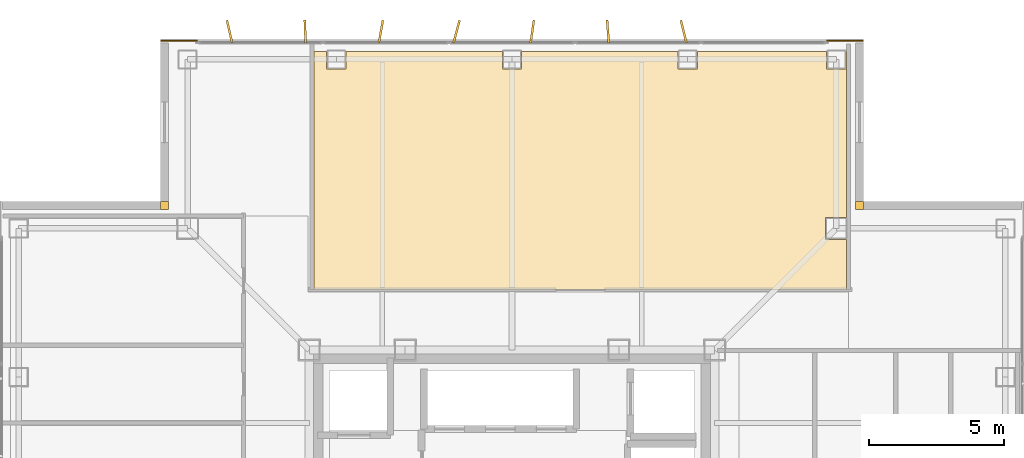
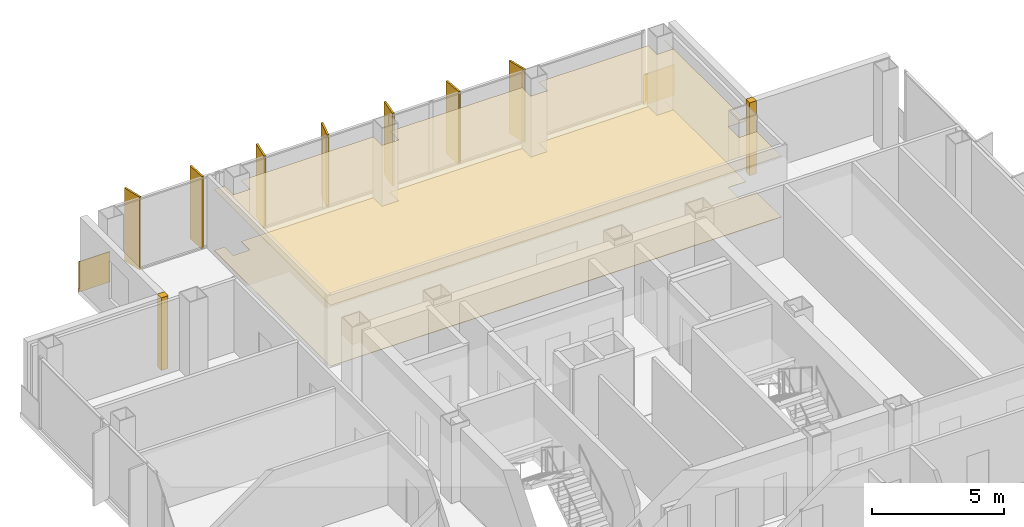
# One storey, part 15 of 15: 7 shading devices, 6 coverings.
"""IFC4 building model written with IfcOpenShell, lengths in metres."""

from ifc_helpers import new_model, si_unit, direction, frame, frame_2d, origin, origin_2d, place, context, subcontext, project, spatial, polyline, rectangle, outline, extrude, material, layer, layer_set, type_object, element, save


model = new_model("IFC4")

# Units and contexts
model_context = context("Model", 3, precision=1e-05, world=origin(), true_north=direction((0.0, 1.0)))
body_context = subcontext(model_context, "Body", "Model", "MODEL_VIEW")
ifc_project = project(units=[si_unit("LENGTHUNIT", "METRE"), si_unit("AREAUNIT", "SQUARE_METRE"), si_unit("VOLUMEUNIT", "CUBIC_METRE"), si_unit("PLANEANGLEUNIT", "RADIAN"), si_unit("MASSUNIT", "GRAM", prefix="KILO")], contexts=[model_context])

# Site, building, storey
site_placement = place(None, origin())
site = spatial("IfcSite", under=ifc_project, at=site_placement, CompositionType="ELEMENT")
building_placement = place(site_placement, origin())
building = spatial("IfcBuilding", under=site, at=building_placement, Name="Trevonay Congress Spire", CompositionType="ELEMENT")
storey_placement = place(building_placement, frame((0.0, 0.0, 293.60009765625)))
storey = spatial("IfcBuildingStorey", under=building, at=storey_placement, Name="L77", CompositionType="ELEMENT", Elevation=293.60009765625)

# Coverings
ifc_material_1 = material(Name="Acoustic Mineral Fibre Board", Category="gypsum")
ifc_layer_1 = layer(ifc_material_1, 0.02490234375, Name="Acoustic Mineral Fibre Board")
ifc_layer_set_1 = layer_set([ifc_layer_1], Name="Acoustic Mineral Fibre Board")
covering_type_1 = type_object("IfcCoveringType", Name="COV-CEIL-ACOUSTIC", PredefinedType="CEILING", material=ifc_layer_set_1)
covering_1_placement = place(storey_placement, frame((0.0, 0.0, 2.809814453125)))
element("IfcCovering", 1, at=covering_1_placement, inside=storey, type_object=covering_type_1, Name="L77 Harbour View Grand Banquet Dining Room acoustic suspended ceiling", PredefinedType="CEILING", context=body_context, shape_type="SweptSolid", body=[
    extrude(outline(polyline([(12.3701171875, 9.72998046875), (-7.320068359375, 9.72998046875), (-7.320068359375, 18.550048828125), (-6.860107421875, 18.550048828125), (-6.860107421875, 17.889892578125), (-6.139892578125, 17.889892578125), (-6.139892578125, 18.550048828125), (-0.360107421875, 18.550048828125), (-0.360107421875, 17.889892578125), (0.360107421875, 17.889892578125), (0.360107421875, 18.550048828125), (6.139892578125, 18.550048828125), (6.139892578125, 17.889892578125), (6.860107421875, 17.889892578125), (6.860107421875, 18.550048828125), (11.639892578125, 18.550048828125), (11.639892578125, 17.889892578125), (12.360107421875, 17.889892578125), (12.360107421875, 18.550048828125), (12.3701171875, 18.550048828125), (12.3701171875, 12.409912109375), (11.590087890625, 12.409912109375), (11.590087890625, 11.590087890625), (12.3701171875, 11.590087890625), (12.3701171875, 9.72998046875)])), origin(), (0.0, 0.0, 1.0), 0.025146484375),
])
ifc_material_2 = material(Name="Polished Granite Floor Tile", Category="masonry")
ifc_layer_2 = layer(ifc_material_2, 0.02001953125, Name="Polished Granite Floor Tile")
ifc_layer_set_2 = layer_set([ifc_layer_2], Name="Polished Granite Floor Tile")
covering_type_2 = type_object("IfcCoveringType", Name="COV-FLOOR-STONE", PredefinedType="FLOORING", material=ifc_layer_set_2)
covering_2_placement = place(storey_placement, origin())
element("IfcCovering", 2, at=covering_2_placement, inside=storey, type_object=covering_type_2, Name="L77 Harbour View Grand Banquet Dining Room floor finish", PredefinedType="FLOORING", context=body_context, shape_type="SweptSolid", body=[
    extrude(outline(polyline([(12.3701171875, 9.72998046875), (-7.320068359375, 9.72998046875), (-7.320068359375, 18.550048828125), (-6.860107421875, 18.550048828125), (-6.860107421875, 17.889892578125), (-6.139892578125, 17.889892578125), (-6.139892578125, 18.550048828125), (-0.360107421875, 18.550048828125), (-0.360107421875, 17.889892578125), (0.360107421875, 17.889892578125), (0.360107421875, 18.550048828125), (6.139892578125, 18.550048828125), (6.139892578125, 17.889892578125), (6.860107421875, 17.889892578125), (6.860107421875, 18.550048828125), (11.639892578125, 18.550048828125), (11.639892578125, 17.889892578125), (12.360107421875, 17.889892578125), (12.360107421875, 18.550048828125), (12.3701171875, 18.550048828125), (12.3701171875, 12.409912109375), (11.590087890625, 12.409912109375), (11.590087890625, 11.590087890625), (12.3701171875, 11.590087890625), (12.3701171875, 9.72998046875)])), origin(), (0.0, 0.0, 1.0), 0.02001953125),
])
ifc_material_3 = material(Name="Pale Anodised Aluminium EN AW-6063-T6", Category="aluminium")
ifc_layer_3 = layer(ifc_material_3, 0.0400390625, Name="Pale Anodised Aluminium EN AW-6063-T6")
ifc_layer_set_3 = layer_set([ifc_layer_3], Name="Pale Anodised Aluminium EN AW-6063-T6")
covering_type_3 = type_object("IfcCoveringType", Name="COV-SPANDREL-PALE-METAL", PredefinedType="CLADDING", material=ifc_layer_set_3)
covering_3_placement = place(storey_placement, origin())
element("IfcCovering", 3, at=covering_3_placement, inside=storey, type_object=covering_type_3, Name="L77 NE re-entrant notch corner closure trim", PredefinedType="CLADDING", context=body_context, shape_type="SweptSolid", body=[
    extrude(outline(polyline([(12.699951171875, 12.699951171875), (13.0, 12.699951171875), (13.0, 13.0), (12.699951171875, 13.0), (12.699951171875, 12.699951171875)])), origin(), (0.0, 0.0, 1.0), 3.35986328125),
])
covering_4_placement = place(storey_placement, frame((11.64990234375, 18.93994140625, -0.150146484375), z_axis=(0.0, 0.0, 1.0), x_axis=(1.0, 0.0, 0.0)))
element("IfcCovering", 4, at=covering_4_placement, inside=storey, type_object=covering_type_3, Name="L77 NE corner pier spandrel cladding 2", PredefinedType="CLADDING", context=body_context, shape_type="SweptSolid", body=[
    extrude(rectangle(XDim=1.35009765625, YDim=0.0400390625, at=frame_2d((0.675048828125, 0.0))), origin(), (0.0, 0.0, 1.0), 1.400146484375),
])
covering_5_placement = place(storey_placement, origin())
element("IfcCovering", 5, at=covering_5_placement, inside=storey, type_object=covering_type_3, Name="L77 NW re-entrant notch corner closure trim", PredefinedType="CLADDING", context=body_context, shape_type="SweptSolid", body=[
    extrude(outline(polyline([(-13.0, 12.699951171875), (-12.699951171875, 12.699951171875), (-12.699951171875, 13.0), (-13.0, 13.0), (-13.0, 12.699951171875)])), origin(), (0.0, 0.0, 1.0), 3.35986328125),
])
covering_6_placement = place(storey_placement, frame((-11.64990234375, 18.93994140625, -0.150146484375), z_axis=(0.0, 0.0, 1.0), x_axis=(-1.0, 0.0, 0.0)))
element("IfcCovering", 6, at=covering_6_placement, inside=storey, type_object=covering_type_3, Name="L77 NW corner pier spandrel cladding 2", PredefinedType="CLADDING", context=body_context, shape_type="SweptSolid", body=[
    extrude(rectangle(XDim=1.35009765625, YDim=0.0400390625, at=frame_2d((0.675048828125, 0.0))), origin(), (0.0, 0.0, 1.0), 1.400146484375),
])

# Shading devices
shading_device_type = type_object("IfcShadingDeviceType", Name="SHD-FIN-Z4-PALE-METAL", PredefinedType="USERDEFINED", material=ifc_material_3)
for number, where, z_axis, x_axis, name in (
    (7, (-10.449951171875, 19.280029296875, 0.0), (0.0, 0.0, 1.0), (0.97440931131, 0.224780991261, 0.0), "L77 N vertical pale-metal solar fin 1"),
    (8, (-7.64990234375, 19.280029296875, 0.0), (0.0, 0.0, 1.0), (0.999235873152, 0.039085416795, 0.0), "L77 N vertical pale-metal solar fin 2"),
    (9, (-4.85009765625, 19.280029296875, 0.0), (0.0, 0.0, 1.0), (0.984195607969, -0.17708474032, 0.0), "L77 N vertical pale-metal solar fin 3"),
    (10, (-2.050048828125, 19.280029296875, 0.0), (0.0, 0.0, 1.0), (0.966106280664, -0.258144638645, 0.0), "L77 N vertical pale-metal solar fin 4"),
    (11, (0.75, 19.280029296875, 0.0), (0.0, 0.0, 1.0), (0.989144474801, -0.146946275799, 0.0), "L77 N vertical pale-metal solar fin 5"),
    (12, (3.550048828125, 19.280029296875, 0.0), (0.0, 0.0, 1.0), (0.997025911491, 0.077067060513, 0.0), "L77 N vertical pale-metal solar fin 6"),
    (13, (6.35009765625, 19.280029296875, 0.0), (0.0, 0.0, 1.0), (0.970464383152, 0.241244442494, 0.0), "L77 N vertical pale-metal solar fin 7"),
):
    element("IfcShadingDevice", number, at=place(storey_placement, frame(where, z_axis=z_axis, x_axis=x_axis)), inside=storey, type_object=shading_device_type, Name=name, ObjectType="SOLAR FIN", PredefinedType="USERDEFINED", context=body_context, shape_type="SweptSolid", body=[
        extrude(rectangle(XDim=0.080078125, YDim=0.85009765625, at=origin_2d()), origin(), (0.0, 0.0, 1.0), 3.360107421875),
    ])

save(model, "model.ifc")
